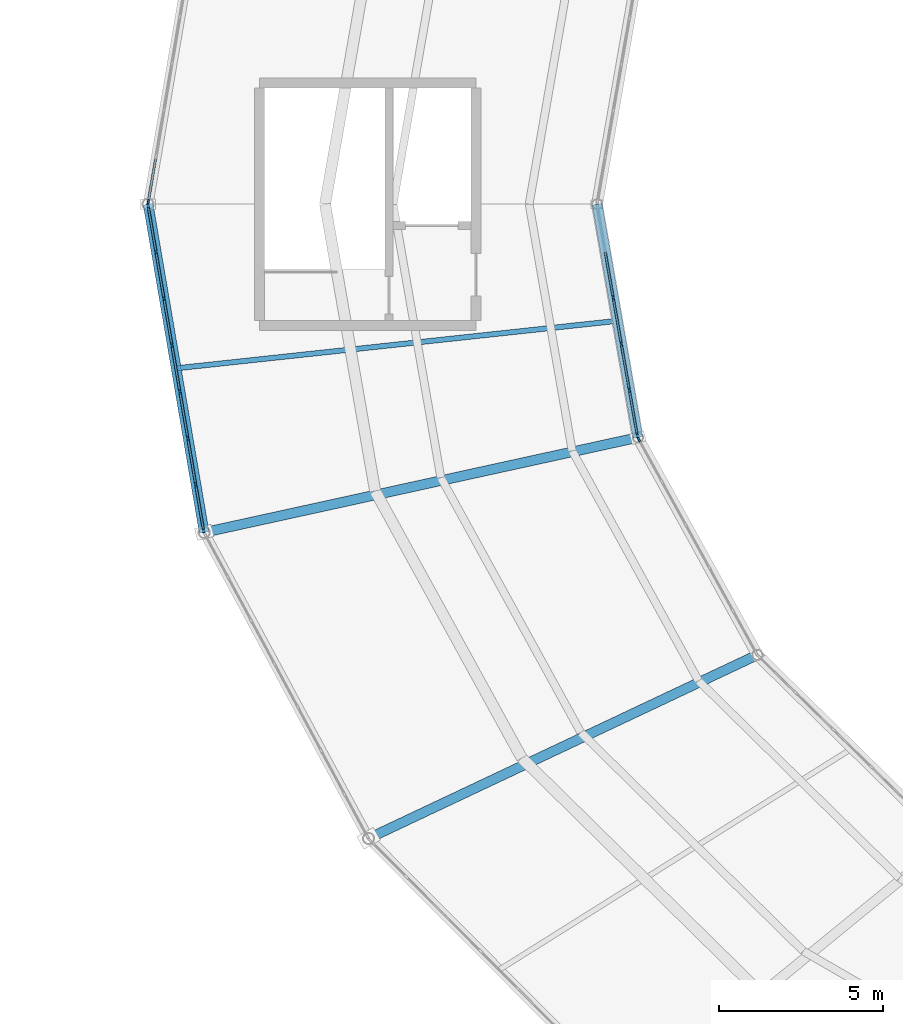
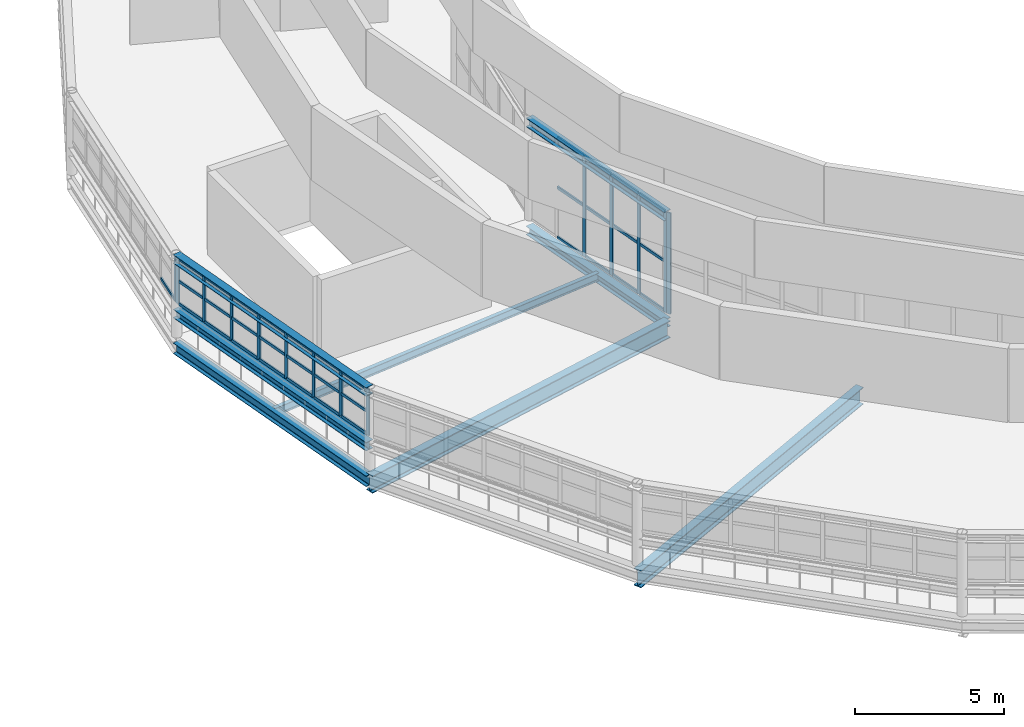
# One storey, part 39 of 123: 48 members, 8 beams, 4 elements without a shape of their own.
"""IFC4 building model written with IfcOpenShell, lengths in metres."""

from ifc_helpers import new_model, si_unit, direction, frame, origin, origin_2d, place, context, subcontext, project, spatial, rectangle, i_section, extrude, material, material_profile, profile_set, type_object, element, aggregate, save


model = new_model("IFC4")

# Units and contexts
model_context = context("Model", 3, precision=1e-05, world=origin(), true_north=direction((0.0, 1.0)))
body_context = subcontext(model_context, "Body", "Model", "MODEL_VIEW")
ifc_project = project(units=[si_unit("LENGTHUNIT", "METRE"), si_unit("AREAUNIT", "SQUARE_METRE"), si_unit("VOLUMEUNIT", "CUBIC_METRE"), si_unit("PLANEANGLEUNIT", "RADIAN"), si_unit("MASSUNIT", "GRAM", prefix="KILO")], contexts=[model_context])

# Site, building, storey
site_placement = place(None, origin())
site = spatial("IfcSite", under=ifc_project, at=site_placement, CompositionType="ELEMENT")
building_placement = place(site_placement, origin())
building = spatial("IfcBuilding", under=site, at=building_placement, Name="Kildeholm Park Wholesale Market", CompositionType="ELEMENT")
storey_placement = place(building_placement, frame((0.0, 0.0, 9.60009765625)))
storey = spatial("IfcBuildingStorey", under=building, at=storey_placement, Name="L02", CompositionType="ELEMENT", Elevation=9.60009765625)

# Beams
ifc_material_1 = material(Name="Steel S355", Category="steel")
ifc_material_profile_1 = material_profile(ifc_material_1, i_section(OverallWidth=0.300048828125, OverallDepth=0.699951171875, WebThickness=0.01708984375, FlangeThickness=0.031982421875, FilletRadius=0.027099609375, at=origin_2d()), Name="HEB 700")
ifc_profile_set_1 = profile_set([ifc_material_profile_1], Name="Steel S355")
beam_type_1 = type_object("IfcBeamType", Name="Beam B-G01 HEB 700", PredefinedType="BEAM", material=ifc_profile_set_1)
beam_1_placement = place(storey_placement, frame((63.743896484375, 82.382080078125, -0.60009765625), z_axis=(-0.976846137752, -0.213943037181, 0.0), x_axis=(0.213943037181, -0.976846137752, 0.0)))
element("IfcBeam", 1, at=beam_1_placement, inside=storey, type_object=beam_type_1, Name="Beam BM-V1-L02-R1-13 BM-0118", PredefinedType="BEAM", context=body_context, shape_type="SweptSolid", body=[
    extrude(i_section(OverallWidth=0.300048828125, OverallDepth=0.699951171875, WebThickness=0.01708984375, FlangeThickness=0.031982421875, FilletRadius=0.027099609375, at=origin_2d()), origin(), (0.0, 0.0, 1.0), 13.546630859375),
])
beam_2_placement = place(storey_placement, frame((67.389892578125, 75.75, -0.60009765625), z_axis=(-0.904317894242, -0.426859632846, 0.0), x_axis=(0.426859632846, -0.904317894242, 0.0)))
element("IfcBeam", 2, at=beam_2_placement, inside=storey, type_object=beam_type_1, Name="Beam BM-V1-L02-R1-14 BM-0127", PredefinedType="BEAM", context=body_context, shape_type="SweptSolid", body=[
    extrude(i_section(OverallWidth=0.300048828125, OverallDepth=0.699951171875, WebThickness=0.01708984375, FlangeThickness=0.031982421875, FilletRadius=0.027099609375, at=origin_2d()), origin(), (0.0, 0.0, 1.0), 13.119384765625),
])
ifc_material_profile_2 = material_profile(ifc_material_1, i_section(OverallWidth=0.300048828125, OverallDepth=0.35009765625, WebThickness=0.010009765625, FlangeThickness=0.017578125, FilletRadius=0.027099609375, at=origin_2d()), Name="HEA 360")
ifc_profile_set_2 = profile_set([ifc_material_profile_2], Name="Steel S355")
beam_type_2 = type_object("IfcBeamType", Name="Beam B-R01 HEA 360", PredefinedType="BEAM", material=ifc_profile_set_2)
beam_3_placement = place(storey_placement, frame((62.5, 89.5, -0.42919921875), z_axis=(0.172146745201, -0.985071316259, 0.0), x_axis=(0.985071316259, 0.172146745201, 0.0)))
element("IfcBeam", 3, at=beam_3_placement, inside=storey, type_object=beam_type_2, Name="Beam BM-V1-L02-CI-12 BM-0113", PredefinedType="BEAM", context=body_context, shape_type="SweptSolid", body=[
    extrude(i_section(OverallWidth=0.300048828125, OverallDepth=0.35009765625, WebThickness=0.010009765625, FlangeThickness=0.017578125, FilletRadius=0.027099609375, at=origin_2d()), origin(), (0.0, 0.0, 1.0), 7.225830078125),
])
beam_4_placement = place(storey_placement, frame((48.800048828125, 89.5, 0.947265625), z_axis=(0.168379597692, -0.985722228156, 0.0), x_axis=(0.985722228156, 0.168379597692, 0.0)))
element("IfcBeam", 4, at=beam_4_placement, inside=storey, type_object=beam_type_2, Name="Beam BM-V1-S1IN-12 BM-0293", PredefinedType="BEAM", context=body_context, shape_type="SweptSolid", body=[
    extrude(i_section(OverallWidth=0.300048828125, OverallDepth=0.35009765625, WebThickness=0.010009765625, FlangeThickness=0.017578125, FilletRadius=0.027099609375, at=origin_2d()), origin(), (0.0, 0.0, 1.0), 10.1611328125),
])
ifc_material_profile_3 = material_profile(ifc_material_1, i_section(OverallWidth=0.300048828125, OverallDepth=0.43994140625, WebThickness=0.011474609375, FlangeThickness=0.02099609375, FilletRadius=0.027099609375, at=origin_2d()), Name="HEA 450")
ifc_profile_set_3 = profile_set([ifc_material_profile_3], Name="Steel S355")
beam_type_3 = type_object("IfcBeamType", Name="Beam B-R02 HEA 450", PredefinedType="BEAM", material=ifc_profile_set_3)
beam_5_placement = place(storey_placement, frame((48.800048828125, 89.5, -0.47412109375), z_axis=(0.168379597692, -0.985722228156, 0.0), x_axis=(0.985722228156, 0.168379597692, 0.0)))
element("IfcBeam", 5, at=beam_5_placement, inside=storey, type_object=beam_type_3, Name="Beam BM-V1-L02-CM-12 BM-0114", PredefinedType="BEAM", context=body_context, shape_type="SweptSolid", body=[
    extrude(i_section(OverallWidth=0.300048828125, OverallDepth=0.43994140625, WebThickness=0.011474609375, FlangeThickness=0.02099609375, FilletRadius=0.027099609375, at=origin_2d()), origin(), (0.0, 0.0, 1.0), 10.1611328125),
])
ifc_material_profile_4 = material_profile(ifc_material_1, i_section(OverallWidth=0.300048828125, OverallDepth=0.360107421875, WebThickness=0.012451171875, FlangeThickness=0.0224609375, FilletRadius=0.027099609375, at=origin_2d()), Name="HEB 360")
ifc_profile_set_4 = profile_set([ifc_material_profile_4], Name="Steel S355")
beam_type_4 = type_object("IfcBeamType", Name="Beam B-R03 HEB 360", PredefinedType="BEAM", material=ifc_profile_set_4)
beam_6_placement = place(storey_placement, frame((48.800048828125, 89.5, 3.1904296875), z_axis=(0.168379597692, -0.985722228156, 0.0), x_axis=(0.985722228156, 0.168379597692, 0.0)))
element("IfcBeam", 6, at=beam_6_placement, inside=storey, type_object=beam_type_4, Name="Beam BM-V1-RF-M1-12 BM-0294", PredefinedType="BEAM", context=body_context, shape_type="SweptSolid", body=[
    extrude(i_section(OverallWidth=0.300048828125, OverallDepth=0.360107421875, WebThickness=0.012451171875, FlangeThickness=0.0224609375, FilletRadius=0.027099609375, at=origin_2d()), origin(), (0.0, 0.0, 1.0), 10.1611328125),
])
beam_7_placement = place(storey_placement, frame((62.5, 89.5, 4.002685546875), z_axis=(0.172146745201, -0.985071316259, 0.0), x_axis=(0.985071316259, 0.172146745201, 0.0)))
element("IfcBeam", 7, at=beam_7_placement, inside=storey, type_object=beam_type_4, Name="Beam BM-V1-RF-IN-12 BM-0295", PredefinedType="BEAM", context=body_context, shape_type="SweptSolid", body=[
    extrude(i_section(OverallWidth=0.300048828125, OverallDepth=0.360107421875, WebThickness=0.012451171875, FlangeThickness=0.0224609375, FilletRadius=0.027099609375, at=origin_2d()), origin(), (0.0, 0.0, 1.0), 7.225830078125),
])
ifc_material_profile_5 = material_profile(ifc_material_1, i_section(OverallWidth=0.159912109375, OverallDepth=0.330078125, WebThickness=0.007568359375, FlangeThickness=0.011474609375, FilletRadius=0.01806640625, at=origin_2d()), Name="IPE 330")
ifc_profile_set_5 = profile_set([ifc_material_profile_5], Name="Steel S355")
beam_type_5 = type_object("IfcBeamType", Name="Beam J-03 IPE 330", PredefinedType="JOIST", material=ifc_profile_set_5)
beam_8_placement = place(storey_placement, frame((63.10205078125, 85.93896484375, -0.4150390625), z_axis=(-0.994260078886, -0.106990165591, 0.0), x_axis=(0.106990165591, -0.994260078886, 0.0)))
element("IfcBeam", 8, at=beam_8_placement, inside=storey, type_object=beam_type_5, Name="Beam JT-V1-L02-12 BM-0116", PredefinedType="JOIST", context=body_context, shape_type="SweptSolid", body=[
    extrude(i_section(OverallWidth=0.159912109375, OverallDepth=0.330078125, WebThickness=0.007568359375, FlangeThickness=0.011474609375, FilletRadius=0.01806640625, at=origin_2d()), origin(), (0.0, 0.0, 1.0), 13.504150390625),
])

# Curtain wall, member
ifc_material_2 = material(Name="Anodised aluminium and low-E double-glazed glass", Category="aluminium")
curtain_wall_type = type_object("IfcCurtainWallType", Name="Clerestory daylight stick curtain wall CW-02", PredefinedType="NOTDEFINED", material=ifc_material_2)
curtain_wall_1_placement = place(storey_placement, origin())
curtain_wall_1 = element("IfcCurtainWall", 9, at=curtain_wall_1_placement, inside=storey, type_object=curtain_wall_type, Name="Curtain wall CW-V1-CL-11 CW-0055", PredefinedType="NOTDEFINED")
ifc_material_3 = material(Name="Anodised aluminium", Category="aluminium")
ifc_material_profile_6 = material_profile(ifc_material_3, rectangle(XDim=0.06005859375, YDim=0.14990234375, at=origin_2d()), Name="CWM 60x150")
ifc_profile_set_6 = profile_set([ifc_material_profile_6], Name="Anodised aluminium")
member_type_1 = type_object("IfcMemberType", Name="Curtain-wall mullion CWM-3 CWM 60x150", PredefinedType="MULLION", material=ifc_profile_set_6)
member_1_placement = place(storey_placement, frame((48.804931640625, 89.569580078125, 1.349853515625), z_axis=(0.0, 0.0, 1.0), x_axis=(0.985732010437, -0.168322320564, 0.0)))
member_1 = element("IfcMember", 10, at=member_1_placement, type_object=member_type_1, Name="CW-02 mullion 8 MEM-1911", PredefinedType="MULLION", context=body_context, shape_type="SweptSolid", body=[
    extrude(rectangle(XDim=0.06005859375, YDim=0.14990234375, at=origin_2d()), origin(), (0.0, 0.0, 1.0), 1.900146484375),
])

# Curtain wall, members
curtain_wall_2_placement = place(storey_placement, origin())
curtain_wall_2 = element("IfcCurtainWall", 11, at=curtain_wall_2_placement, inside=storey, type_object=curtain_wall_type, Name="Curtain wall CW-V1-CL-12 CW-0060", PredefinedType="NOTDEFINED")
member_2_placement = place(storey_placement, frame((48.804931640625, 89.430419921875, 1.349853515625), z_axis=(0.0, 0.0, 1.0), x_axis=(0.985732010437, 0.168322320564, 0.0)))
member_2 = element("IfcMember", 12, at=member_2_placement, type_object=member_type_1, Name="CW-02 mullion 1 MEM-2029", PredefinedType="MULLION", context=body_context, shape_type="SweptSolid", body=[
    extrude(rectangle(XDim=0.06005859375, YDim=0.14990234375, at=origin_2d()), origin(), (0.0, 0.0, 1.0), 1.900146484375),
])
member_3_placement = place(storey_placement, frame((49.04248046875, 88.040283203125, 1.349853515625), z_axis=(0.0, 0.0, 1.0), x_axis=(0.985732010437, 0.168322320564, 0.0)))
member_3 = element("IfcMember", 13, at=member_3_placement, type_object=member_type_1, Name="CW-02 mullion 2 MEM-2030", PredefinedType="MULLION", context=body_context, shape_type="SweptSolid", body=[
    extrude(rectangle(XDim=0.06005859375, YDim=0.14990234375, at=origin_2d()), origin(), (0.0, 0.0, 1.0), 1.900146484375),
])
member_4_placement = place(storey_placement, frame((49.284912109375, 86.62060546875, 1.349853515625), z_axis=(0.0, 0.0, 1.0), x_axis=(0.985732010437, 0.168322320564, 0.0)))
member_4 = element("IfcMember", 14, at=member_4_placement, type_object=member_type_1, Name="CW-02 mullion 3 MEM-2031", PredefinedType="MULLION", context=body_context, shape_type="SweptSolid", body=[
    extrude(rectangle(XDim=0.06005859375, YDim=0.14990234375, at=origin_2d()), origin(), (0.0, 0.0, 1.0), 1.900146484375),
])
member_5_placement = place(storey_placement, frame((49.52734375, 85.200927734375, 1.349853515625), z_axis=(0.0, 0.0, 1.0), x_axis=(0.985732010437, 0.168322320564, 0.0)))
member_5 = element("IfcMember", 15, at=member_5_placement, type_object=member_type_1, Name="CW-02 mullion 4 MEM-2032", PredefinedType="MULLION", context=body_context, shape_type="SweptSolid", body=[
    extrude(rectangle(XDim=0.06005859375, YDim=0.14990234375, at=origin_2d()), origin(), (0.0, 0.0, 1.0), 1.900146484375),
])
member_6_placement = place(storey_placement, frame((49.769775390625, 83.78125, 1.349853515625), z_axis=(0.0, 0.0, 1.0), x_axis=(0.985732010437, 0.168322320564, 0.0)))
member_6 = element("IfcMember", 16, at=member_6_placement, type_object=member_type_1, Name="CW-02 mullion 5 MEM-2033", PredefinedType="MULLION", context=body_context, shape_type="SweptSolid", body=[
    extrude(rectangle(XDim=0.06005859375, YDim=0.14990234375, at=origin_2d()), origin(), (0.0, 0.0, 1.0), 1.900146484375),
])
member_7_placement = place(storey_placement, frame((50.01220703125, 82.361328125, 1.349853515625), z_axis=(0.0, 0.0, 1.0), x_axis=(0.985732010437, 0.168322320564, 0.0)))
member_7 = element("IfcMember", 17, at=member_7_placement, type_object=member_type_1, Name="CW-02 mullion 6 MEM-2034", PredefinedType="MULLION", context=body_context, shape_type="SweptSolid", body=[
    extrude(rectangle(XDim=0.06005859375, YDim=0.14990234375, at=origin_2d()), origin(), (0.0, 0.0, 1.0), 1.900146484375),
])
member_8_placement = place(storey_placement, frame((50.254638671875, 80.941650390625, 1.349853515625), z_axis=(0.0, 0.0, 1.0), x_axis=(0.985732010437, 0.168322320564, 0.0)))
member_8 = element("IfcMember", 18, at=member_8_placement, type_object=member_type_1, Name="CW-02 mullion 7 MEM-2035", PredefinedType="MULLION", context=body_context, shape_type="SweptSolid", body=[
    extrude(rectangle(XDim=0.06005859375, YDim=0.14990234375, at=origin_2d()), origin(), (0.0, 0.0, 1.0), 1.900146484375),
])
member_9_placement = place(storey_placement, frame((50.491943359375, 79.551513671875, 1.349853515625), z_axis=(0.0, 0.0, 1.0), x_axis=(0.985732010437, 0.168322320564, 0.0)))
member_9 = element("IfcMember", 19, at=member_9_placement, type_object=member_type_1, Name="CW-02 mullion 8 MEM-2036", PredefinedType="MULLION", context=body_context, shape_type="SweptSolid", body=[
    extrude(rectangle(XDim=0.06005859375, YDim=0.14990234375, at=origin_2d()), origin(), (0.0, 0.0, 1.0), 1.900146484375),
])

curtain_wall_3_placement = place(storey_placement, origin())
curtain_wall_3 = element("IfcCurtainWall", 20, at=curtain_wall_3_placement, inside=storey, type_object=curtain_wall_type, Name="Curtain wall CW-V1-IN2-12 CW-0063", PredefinedType="NOTDEFINED")
member_10_placement = place(storey_placement, frame((62.991943359375, 86.644287109375, 0.0), z_axis=(0.0, 0.0, 1.0), x_axis=(0.985073802851, 0.172132515628, 0.0)))
member_10 = element("IfcMember", 21, at=member_10_placement, type_object=member_type_1, Name="CW-02 mullion 3 MEM-2102", PredefinedType="MULLION", context=body_context, shape_type="SweptSolid", body=[
    extrude(rectangle(XDim=0.06005859375, YDim=0.14990234375, at=origin_2d()), origin(), (0.0, 0.0, 1.0), 4.14990234375),
])
member_11_placement = place(storey_placement, frame((63.238037109375, 85.236572265625, 0.0), z_axis=(0.0, 0.0, 1.0), x_axis=(0.985073802851, 0.172132515628, 0.0)))
member_11 = element("IfcMember", 22, at=member_11_placement, type_object=member_type_1, Name="CW-02 mullion 4 MEM-2103", PredefinedType="MULLION", context=body_context, shape_type="SweptSolid", body=[
    extrude(rectangle(XDim=0.06005859375, YDim=0.14990234375, at=origin_2d()), origin(), (0.0, 0.0, 1.0), 4.14990234375),
])
member_12_placement = place(storey_placement, frame((63.48388671875, 83.828857421875, 0.0), z_axis=(0.0, 0.0, 1.0), x_axis=(0.985073802851, 0.172132515628, 0.0)))
member_12 = element("IfcMember", 23, at=member_12_placement, type_object=member_type_1, Name="CW-02 mullion 5 MEM-2104", PredefinedType="MULLION", context=body_context, shape_type="SweptSolid", body=[
    extrude(rectangle(XDim=0.06005859375, YDim=0.14990234375, at=origin_2d()), origin(), (0.0, 0.0, 1.0), 4.14990234375),
])
member_13_placement = place(storey_placement, frame((63.724853515625, 82.450439453125, 0.0), z_axis=(0.0, 0.0, 1.0), x_axis=(0.985073802851, 0.172132515628, 0.0)))
member_13 = element("IfcMember", 24, at=member_13_placement, type_object=member_type_1, Name="CW-02 mullion 6 MEM-2105", PredefinedType="MULLION", context=body_context, shape_type="SweptSolid", body=[
    extrude(rectangle(XDim=0.06005859375, YDim=0.14990234375, at=origin_2d()), origin(), (0.0, 0.0, 1.0), 4.14990234375),
])

# Curtain wall, member
curtain_wall_4_placement = place(storey_placement, origin())
curtain_wall_4 = element("IfcCurtainWall", 25, at=curtain_wall_4_placement, inside=storey, type_object=curtain_wall_type, Name="Curtain wall CW-V1-IN2-13 CW-0068", PredefinedType="NOTDEFINED")
member_14_placement = place(storey_placement, frame((63.771484375, 82.31982421875, 0.0), z_axis=(0.0, 0.0, 1.0), x_axis=(0.876308922506, 0.481749595055, 0.0)))
member_14 = element("IfcMember", 26, at=member_14_placement, type_object=member_type_1, Name="CW-02 mullion 1 MEM-2225", PredefinedType="MULLION", context=body_context, shape_type="SweptSolid", body=[
    extrude(rectangle(XDim=0.06005859375, YDim=0.14990234375, at=origin_2d()), origin(), (0.0, 0.0, 1.0), 4.14990234375),
])
aggregate(curtain_wall_4, [member_14])

# Member
ifc_material_profile_7 = material_profile(ifc_material_3, rectangle(XDim=0.06005859375, YDim=0.1201171875, at=origin_2d()), Name="CWT 60x120")
ifc_profile_set_7 = profile_set([ifc_material_profile_7], Name="Anodised aluminium")
member_type_2 = type_object("IfcMemberType", Name="Curtain-wall transom CWT-3 CWT 60x120", PredefinedType="USERDEFINED", material=ifc_profile_set_7)
member_15_placement = place(storey_placement, frame((49.037353515625, 90.93017578125, 1.3798828125), z_axis=(-0.168326457098, -0.985731304079, 0.0), x_axis=(0.985731304079, -0.168326457098, 0.0)))
member_15 = element("IfcMember", 27, at=member_15_placement, type_object=member_type_2, Name="CW-02 transom 7.1 MEM-1930", ObjectType="TRANSOM", PredefinedType="USERDEFINED", context=body_context, shape_type="SweptSolid", body=[
    extrude(rectangle(XDim=0.06005859375, YDim=0.1201171875, at=origin_2d()), origin(), (0.0, 0.0, 1.0), 1.350341796875),
])

aggregate(curtain_wall_1, [member_1, member_15])

member_16_placement = place(storey_placement, frame((48.81005859375, 89.40087890625, 1.3798828125), z_axis=(0.168326457098, -0.985731304079, 0.0), x_axis=(0.985731304079, 0.168326457098, 0.0)))
member_16 = element("IfcMember", 28, at=member_16_placement, type_object=member_type_2, Name="CW-02 transom 1.1 MEM-2037", ObjectType="TRANSOM", PredefinedType="USERDEFINED", context=body_context, shape_type="SweptSolid", body=[
    extrude(rectangle(XDim=0.06005859375, YDim=0.1201171875, at=origin_2d()), origin(), (0.0, 0.0, 1.0), 1.350341796875),
])

member_17_placement = place(storey_placement, frame((48.81005859375, 89.40087890625, 2.2998046875), z_axis=(0.168326457098, -0.985731304079, 0.0), x_axis=(0.985731304079, 0.168326457098, 0.0)))
member_17 = element("IfcMember", 29, at=member_17_placement, type_object=member_type_2, Name="CW-02 transom 1.2 MEM-2038", ObjectType="TRANSOM", PredefinedType="USERDEFINED", context=body_context, shape_type="SweptSolid", body=[
    extrude(rectangle(XDim=0.06005859375, YDim=0.1201171875, at=origin_2d()), origin(), (0.0, 0.0, 1.0), 1.350341796875),
])

member_18_placement = place(storey_placement, frame((48.81005859375, 89.40087890625, 3.219970703125), z_axis=(0.168326457098, -0.985731304079, 0.0), x_axis=(0.985731304079, 0.168326457098, 0.0)))
member_18 = element("IfcMember", 30, at=member_18_placement, type_object=member_type_2, Name="CW-02 transom 1.3 MEM-2039", ObjectType="TRANSOM", PredefinedType="USERDEFINED", context=body_context, shape_type="SweptSolid", body=[
    extrude(rectangle(XDim=0.06005859375, YDim=0.1201171875, at=origin_2d()), origin(), (0.0, 0.0, 1.0), 1.350341796875),
])

member_19_placement = place(storey_placement, frame((49.04736328125, 88.0107421875, 1.3798828125), z_axis=(0.168384490495, -0.985721392362, 0.0), x_axis=(0.985721392362, 0.168384490495, 0.0)))
member_19 = element("IfcMember", 31, at=member_19_placement, type_object=member_type_2, Name="CW-02 transom 2.1 MEM-2040", ObjectType="TRANSOM", PredefinedType="USERDEFINED", context=body_context, shape_type="SweptSolid", body=[
    extrude(rectangle(XDim=0.06005859375, YDim=0.1201171875, at=origin_2d()), origin(), (0.0, 0.0, 1.0), 1.38037109375),
])

member_20_placement = place(storey_placement, frame((49.04736328125, 88.0107421875, 2.2998046875), z_axis=(0.168384490495, -0.985721392362, 0.0), x_axis=(0.985721392362, 0.168384490495, 0.0)))
member_20 = element("IfcMember", 32, at=member_20_placement, type_object=member_type_2, Name="CW-02 transom 2.2 MEM-2041", ObjectType="TRANSOM", PredefinedType="USERDEFINED", context=body_context, shape_type="SweptSolid", body=[
    extrude(rectangle(XDim=0.06005859375, YDim=0.1201171875, at=origin_2d()), origin(), (0.0, 0.0, 1.0), 1.38037109375),
])

member_21_placement = place(storey_placement, frame((49.04736328125, 88.0107421875, 3.219970703125), z_axis=(0.168384490495, -0.985721392362, 0.0), x_axis=(0.985721392362, 0.168384490495, 0.0)))
member_21 = element("IfcMember", 33, at=member_21_placement, type_object=member_type_2, Name="CW-02 transom 2.3 MEM-2042", ObjectType="TRANSOM", PredefinedType="USERDEFINED", context=body_context, shape_type="SweptSolid", body=[
    extrude(rectangle(XDim=0.06005859375, YDim=0.1201171875, at=origin_2d()), origin(), (0.0, 0.0, 1.0), 1.38037109375),
])

member_22_placement = place(storey_placement, frame((49.289794921875, 86.591064453125, 1.3798828125), z_axis=(0.168384490495, -0.985721392362, 0.0), x_axis=(0.985721392362, 0.168384490495, 0.0)))
member_22 = element("IfcMember", 34, at=member_22_placement, type_object=member_type_2, Name="CW-02 transom 3.1 MEM-2043", ObjectType="TRANSOM", PredefinedType="USERDEFINED", context=body_context, shape_type="SweptSolid", body=[
    extrude(rectangle(XDim=0.06005859375, YDim=0.1201171875, at=origin_2d()), origin(), (0.0, 0.0, 1.0), 1.38037109375),
])

member_23_placement = place(storey_placement, frame((49.289794921875, 86.591064453125, 2.2998046875), z_axis=(0.168384490495, -0.985721392362, 0.0), x_axis=(0.985721392362, 0.168384490495, 0.0)))
member_23 = element("IfcMember", 35, at=member_23_placement, type_object=member_type_2, Name="CW-02 transom 3.2 MEM-2044", ObjectType="TRANSOM", PredefinedType="USERDEFINED", context=body_context, shape_type="SweptSolid", body=[
    extrude(rectangle(XDim=0.06005859375, YDim=0.1201171875, at=origin_2d()), origin(), (0.0, 0.0, 1.0), 1.38037109375),
])

member_24_placement = place(storey_placement, frame((49.289794921875, 86.591064453125, 3.219970703125), z_axis=(0.168384490495, -0.985721392362, 0.0), x_axis=(0.985721392362, 0.168384490495, 0.0)))
member_24 = element("IfcMember", 36, at=member_24_placement, type_object=member_type_2, Name="CW-02 transom 3.3 MEM-2045", ObjectType="TRANSOM", PredefinedType="USERDEFINED", context=body_context, shape_type="SweptSolid", body=[
    extrude(rectangle(XDim=0.06005859375, YDim=0.1201171875, at=origin_2d()), origin(), (0.0, 0.0, 1.0), 1.38037109375),
])

member_25_placement = place(storey_placement, frame((49.5322265625, 85.17138671875, 1.3798828125), z_axis=(0.168384490495, -0.985721392362, 0.0), x_axis=(0.985721392362, 0.168384490495, 0.0)))
member_25 = element("IfcMember", 37, at=member_25_placement, type_object=member_type_2, Name="CW-02 transom 4.1 MEM-2046", ObjectType="TRANSOM", PredefinedType="USERDEFINED", context=body_context, shape_type="SweptSolid", body=[
    extrude(rectangle(XDim=0.06005859375, YDim=0.1201171875, at=origin_2d()), origin(), (0.0, 0.0, 1.0), 1.38037109375),
])

member_26_placement = place(storey_placement, frame((49.5322265625, 85.17138671875, 2.2998046875), z_axis=(0.168384490495, -0.985721392362, 0.0), x_axis=(0.985721392362, 0.168384490495, 0.0)))
member_26 = element("IfcMember", 38, at=member_26_placement, type_object=member_type_2, Name="CW-02 transom 4.2 MEM-2047", ObjectType="TRANSOM", PredefinedType="USERDEFINED", context=body_context, shape_type="SweptSolid", body=[
    extrude(rectangle(XDim=0.06005859375, YDim=0.1201171875, at=origin_2d()), origin(), (0.0, 0.0, 1.0), 1.38037109375),
])

member_27_placement = place(storey_placement, frame((49.5322265625, 85.17138671875, 3.219970703125), z_axis=(0.168384490495, -0.985721392362, 0.0), x_axis=(0.985721392362, 0.168384490495, 0.0)))
member_27 = element("IfcMember", 39, at=member_27_placement, type_object=member_type_2, Name="CW-02 transom 4.3 MEM-2048", ObjectType="TRANSOM", PredefinedType="USERDEFINED", context=body_context, shape_type="SweptSolid", body=[
    extrude(rectangle(XDim=0.06005859375, YDim=0.1201171875, at=origin_2d()), origin(), (0.0, 0.0, 1.0), 1.38037109375),
])

member_28_placement = place(storey_placement, frame((49.774658203125, 83.75146484375, 1.3798828125), z_axis=(0.168413853198, -0.985716376069, 0.0), x_axis=(0.985716376069, 0.168413853198, 0.0)))
member_28 = element("IfcMember", 40, at=member_28_placement, type_object=member_type_2, Name="CW-02 transom 5.1 MEM-2049", ObjectType="TRANSOM", PredefinedType="USERDEFINED", context=body_context, shape_type="SweptSolid", body=[
    extrude(rectangle(XDim=0.06005859375, YDim=0.1201171875, at=origin_2d()), origin(), (0.0, 0.0, 1.0), 1.380126953125),
])

member_29_placement = place(storey_placement, frame((49.774658203125, 83.75146484375, 2.2998046875), z_axis=(0.168413853198, -0.985716376069, 0.0), x_axis=(0.985716376069, 0.168413853198, 0.0)))
member_29 = element("IfcMember", 41, at=member_29_placement, type_object=member_type_2, Name="CW-02 transom 5.2 MEM-2050", ObjectType="TRANSOM", PredefinedType="USERDEFINED", context=body_context, shape_type="SweptSolid", body=[
    extrude(rectangle(XDim=0.06005859375, YDim=0.1201171875, at=origin_2d()), origin(), (0.0, 0.0, 1.0), 1.380126953125),
])

member_30_placement = place(storey_placement, frame((49.774658203125, 83.75146484375, 3.219970703125), z_axis=(0.168413853198, -0.985716376069, 0.0), x_axis=(0.985716376069, 0.168413853198, 0.0)))
member_30 = element("IfcMember", 42, at=member_30_placement, type_object=member_type_2, Name="CW-02 transom 5.3 MEM-2051", ObjectType="TRANSOM", PredefinedType="USERDEFINED", context=body_context, shape_type="SweptSolid", body=[
    extrude(rectangle(XDim=0.06005859375, YDim=0.1201171875, at=origin_2d()), origin(), (0.0, 0.0, 1.0), 1.380126953125),
])

member_31_placement = place(storey_placement, frame((50.01708984375, 82.331787109375, 1.3798828125), z_axis=(0.168384490495, -0.985721392362, 0.0), x_axis=(0.985721392362, 0.168384490495, 0.0)))
member_31 = element("IfcMember", 43, at=member_31_placement, type_object=member_type_2, Name="CW-02 transom 6.1 MEM-2052", ObjectType="TRANSOM", PredefinedType="USERDEFINED", context=body_context, shape_type="SweptSolid", body=[
    extrude(rectangle(XDim=0.06005859375, YDim=0.1201171875, at=origin_2d()), origin(), (0.0, 0.0, 1.0), 1.38037109375),
])

member_32_placement = place(storey_placement, frame((50.01708984375, 82.331787109375, 2.2998046875), z_axis=(0.168384490495, -0.985721392362, 0.0), x_axis=(0.985721392362, 0.168384490495, 0.0)))
member_32 = element("IfcMember", 44, at=member_32_placement, type_object=member_type_2, Name="CW-02 transom 6.2 MEM-2053", ObjectType="TRANSOM", PredefinedType="USERDEFINED", context=body_context, shape_type="SweptSolid", body=[
    extrude(rectangle(XDim=0.06005859375, YDim=0.1201171875, at=origin_2d()), origin(), (0.0, 0.0, 1.0), 1.38037109375),
])

member_33_placement = place(storey_placement, frame((50.01708984375, 82.331787109375, 3.219970703125), z_axis=(0.168384490495, -0.985721392362, 0.0), x_axis=(0.985721392362, 0.168384490495, 0.0)))
member_33 = element("IfcMember", 45, at=member_33_placement, type_object=member_type_2, Name="CW-02 transom 6.3 MEM-2054", ObjectType="TRANSOM", PredefinedType="USERDEFINED", context=body_context, shape_type="SweptSolid", body=[
    extrude(rectangle(XDim=0.06005859375, YDim=0.1201171875, at=origin_2d()), origin(), (0.0, 0.0, 1.0), 1.38037109375),
])

member_34_placement = place(storey_placement, frame((50.259521484375, 80.912109375, 1.3798828125), z_axis=(0.168326457098, -0.985731304079, 0.0), x_axis=(0.985731304079, 0.168326457098, 0.0)))
member_34 = element("IfcMember", 46, at=member_34_placement, type_object=member_type_2, Name="CW-02 transom 7.1 MEM-2055", ObjectType="TRANSOM", PredefinedType="USERDEFINED", context=body_context, shape_type="SweptSolid", body=[
    extrude(rectangle(XDim=0.06005859375, YDim=0.1201171875, at=origin_2d()), origin(), (0.0, 0.0, 1.0), 1.350341796875),
])

member_35_placement = place(storey_placement, frame((50.259521484375, 80.912109375, 2.2998046875), z_axis=(0.168326457098, -0.985731304079, 0.0), x_axis=(0.985731304079, 0.168326457098, 0.0)))
member_35 = element("IfcMember", 47, at=member_35_placement, type_object=member_type_2, Name="CW-02 transom 7.2 MEM-2056", ObjectType="TRANSOM", PredefinedType="USERDEFINED", context=body_context, shape_type="SweptSolid", body=[
    extrude(rectangle(XDim=0.06005859375, YDim=0.1201171875, at=origin_2d()), origin(), (0.0, 0.0, 1.0), 1.350341796875),
])

member_36_placement = place(storey_placement, frame((50.259521484375, 80.912109375, 3.219970703125), z_axis=(0.168326457098, -0.985731304079, 0.0), x_axis=(0.985731304079, 0.168326457098, 0.0)))
member_36 = element("IfcMember", 48, at=member_36_placement, type_object=member_type_2, Name="CW-02 transom 7.3 MEM-2057", ObjectType="TRANSOM", PredefinedType="USERDEFINED", context=body_context, shape_type="SweptSolid", body=[
    extrude(rectangle(XDim=0.06005859375, YDim=0.1201171875, at=origin_2d()), origin(), (0.0, 0.0, 1.0), 1.350341796875),
])

aggregate(curtain_wall_2, [member_2, member_3, member_4, member_5, member_6, member_7, member_8, member_9, member_16, member_17, member_18, member_19, member_20, member_21, member_22, member_23, member_24, member_25, member_26, member_27, member_28, member_29, member_30, member_31, member_32, member_33, member_34, member_35, member_36])

member_37_placement = place(storey_placement, frame((62.751220703125, 88.022705078125, 0.02978515625), z_axis=(0.172086175377, -0.985081899257, 0.0), x_axis=(0.985081899257, 0.172086175377, 0.0)))
member_37 = element("IfcMember", 49, at=member_37_placement, type_object=member_type_2, Name="CW-02 transom 2.1 MEM-2109", ObjectType="TRANSOM", PredefinedType="USERDEFINED", context=body_context, shape_type="SweptSolid", body=[
    extrude(rectangle(XDim=0.06005859375, YDim=0.1201171875, at=origin_2d()), origin(), (0.0, 0.0, 1.0), 1.369140625),
])

member_38_placement = place(storey_placement, frame((62.751220703125, 88.022705078125, 2.074951171875), z_axis=(0.172086175377, -0.985081899257, 0.0), x_axis=(0.985081899257, 0.172086175377, 0.0)))
member_38 = element("IfcMember", 50, at=member_38_placement, type_object=member_type_2, Name="CW-02 transom 2.2 MEM-2110", ObjectType="TRANSOM", PredefinedType="USERDEFINED", context=body_context, shape_type="SweptSolid", body=[
    extrude(rectangle(XDim=0.06005859375, YDim=0.1201171875, at=origin_2d()), origin(), (0.0, 0.0, 1.0), 1.369140625),
])

member_39_placement = place(storey_placement, frame((62.751220703125, 88.022705078125, 4.119873046875), z_axis=(0.172086175377, -0.985081899257, 0.0), x_axis=(0.985081899257, 0.172086175377, 0.0)))
member_39 = element("IfcMember", 51, at=member_39_placement, type_object=member_type_2, Name="CW-02 transom 2.3 MEM-2111", ObjectType="TRANSOM", PredefinedType="USERDEFINED", context=body_context, shape_type="SweptSolid", body=[
    extrude(rectangle(XDim=0.06005859375, YDim=0.1201171875, at=origin_2d()), origin(), (0.0, 0.0, 1.0), 1.369140625),
])

member_40_placement = place(storey_placement, frame((62.9970703125, 86.61474609375, 0.02978515625), z_axis=(0.172259214119, -0.985051655067, 0.0), x_axis=(0.985051655067, 0.172259214119, 0.0)))
member_40 = element("IfcMember", 52, at=member_40_placement, type_object=member_type_2, Name="CW-02 transom 3.1 MEM-2112", ObjectType="TRANSOM", PredefinedType="USERDEFINED", context=body_context, shape_type="SweptSolid", body=[
    extrude(rectangle(XDim=0.06005859375, YDim=0.1201171875, at=origin_2d()), origin(), (0.0, 0.0, 1.0), 1.369140625),
])

member_41_placement = place(storey_placement, frame((62.9970703125, 86.61474609375, 2.074951171875), z_axis=(0.172259214119, -0.985051655067, 0.0), x_axis=(0.985051655067, 0.172259214119, 0.0)))
member_41 = element("IfcMember", 53, at=member_41_placement, type_object=member_type_2, Name="CW-02 transom 3.2 MEM-2113", ObjectType="TRANSOM", PredefinedType="USERDEFINED", context=body_context, shape_type="SweptSolid", body=[
    extrude(rectangle(XDim=0.06005859375, YDim=0.1201171875, at=origin_2d()), origin(), (0.0, 0.0, 1.0), 1.369140625),
])

member_42_placement = place(storey_placement, frame((62.9970703125, 86.61474609375, 4.119873046875), z_axis=(0.172259214119, -0.985051655067, 0.0), x_axis=(0.985051655067, 0.172259214119, 0.0)))
member_42 = element("IfcMember", 54, at=member_42_placement, type_object=member_type_2, Name="CW-02 transom 3.3 MEM-2114", ObjectType="TRANSOM", PredefinedType="USERDEFINED", context=body_context, shape_type="SweptSolid", body=[
    extrude(rectangle(XDim=0.06005859375, YDim=0.1201171875, at=origin_2d()), origin(), (0.0, 0.0, 1.0), 1.369140625),
])

member_43_placement = place(storey_placement, frame((63.2431640625, 85.20703125, 0.02978515625), z_axis=(0.172086175377, -0.985081899257, 0.0), x_axis=(0.985081899257, 0.172086175377, 0.0)))
member_43 = element("IfcMember", 55, at=member_43_placement, type_object=member_type_2, Name="CW-02 transom 4.1 MEM-2115", ObjectType="TRANSOM", PredefinedType="USERDEFINED", context=body_context, shape_type="SweptSolid", body=[
    extrude(rectangle(XDim=0.06005859375, YDim=0.1201171875, at=origin_2d()), origin(), (0.0, 0.0, 1.0), 1.369140625),
])

member_44_placement = place(storey_placement, frame((63.2431640625, 85.20703125, 2.074951171875), z_axis=(0.172086175377, -0.985081899257, 0.0), x_axis=(0.985081899257, 0.172086175377, 0.0)))
member_44 = element("IfcMember", 56, at=member_44_placement, type_object=member_type_2, Name="CW-02 transom 4.2 MEM-2116", ObjectType="TRANSOM", PredefinedType="USERDEFINED", context=body_context, shape_type="SweptSolid", body=[
    extrude(rectangle(XDim=0.06005859375, YDim=0.1201171875, at=origin_2d()), origin(), (0.0, 0.0, 1.0), 1.369140625),
])

member_45_placement = place(storey_placement, frame((63.2431640625, 85.20703125, 4.119873046875), z_axis=(0.172086175377, -0.985081899257, 0.0), x_axis=(0.985081899257, 0.172086175377, 0.0)))
member_45 = element("IfcMember", 57, at=member_45_placement, type_object=member_type_2, Name="CW-02 transom 4.3 MEM-2117", ObjectType="TRANSOM", PredefinedType="USERDEFINED", context=body_context, shape_type="SweptSolid", body=[
    extrude(rectangle(XDim=0.06005859375, YDim=0.1201171875, at=origin_2d()), origin(), (0.0, 0.0, 1.0), 1.369140625),
])

member_46_placement = place(storey_placement, frame((63.4892578125, 83.79931640625, 0.02978515625), z_axis=(0.172110548446, -0.98507764116, 0.0), x_axis=(0.98507764116, 0.172110548446, 0.0)))
member_46 = element("IfcMember", 58, at=member_46_placement, type_object=member_type_2, Name="CW-02 transom 5.1 MEM-2118", ObjectType="TRANSOM", PredefinedType="USERDEFINED", context=body_context, shape_type="SweptSolid", body=[
    extrude(rectangle(XDim=0.06005859375, YDim=0.1201171875, at=origin_2d()), origin(), (0.0, 0.0, 1.0), 1.339111328125),
])

member_47_placement = place(storey_placement, frame((63.4892578125, 83.79931640625, 2.074951171875), z_axis=(0.172110548446, -0.98507764116, 0.0), x_axis=(0.98507764116, 0.172110548446, 0.0)))
member_47 = element("IfcMember", 59, at=member_47_placement, type_object=member_type_2, Name="CW-02 transom 5.2 MEM-2119", ObjectType="TRANSOM", PredefinedType="USERDEFINED", context=body_context, shape_type="SweptSolid", body=[
    extrude(rectangle(XDim=0.06005859375, YDim=0.1201171875, at=origin_2d()), origin(), (0.0, 0.0, 1.0), 1.339111328125),
])

member_48_placement = place(storey_placement, frame((63.4892578125, 83.79931640625, 4.119873046875), z_axis=(0.172110548446, -0.98507764116, 0.0), x_axis=(0.98507764116, 0.172110548446, 0.0)))
member_48 = element("IfcMember", 60, at=member_48_placement, type_object=member_type_2, Name="CW-02 transom 5.3 MEM-2120", ObjectType="TRANSOM", PredefinedType="USERDEFINED", context=body_context, shape_type="SweptSolid", body=[
    extrude(rectangle(XDim=0.06005859375, YDim=0.1201171875, at=origin_2d()), origin(), (0.0, 0.0, 1.0), 1.339111328125),
])

aggregate(curtain_wall_3, [member_10, member_11, member_12, member_13, member_37, member_38, member_39, member_40, member_41, member_42, member_43, member_44, member_45, member_46, member_47, member_48])

save(model, "model.ifc")
